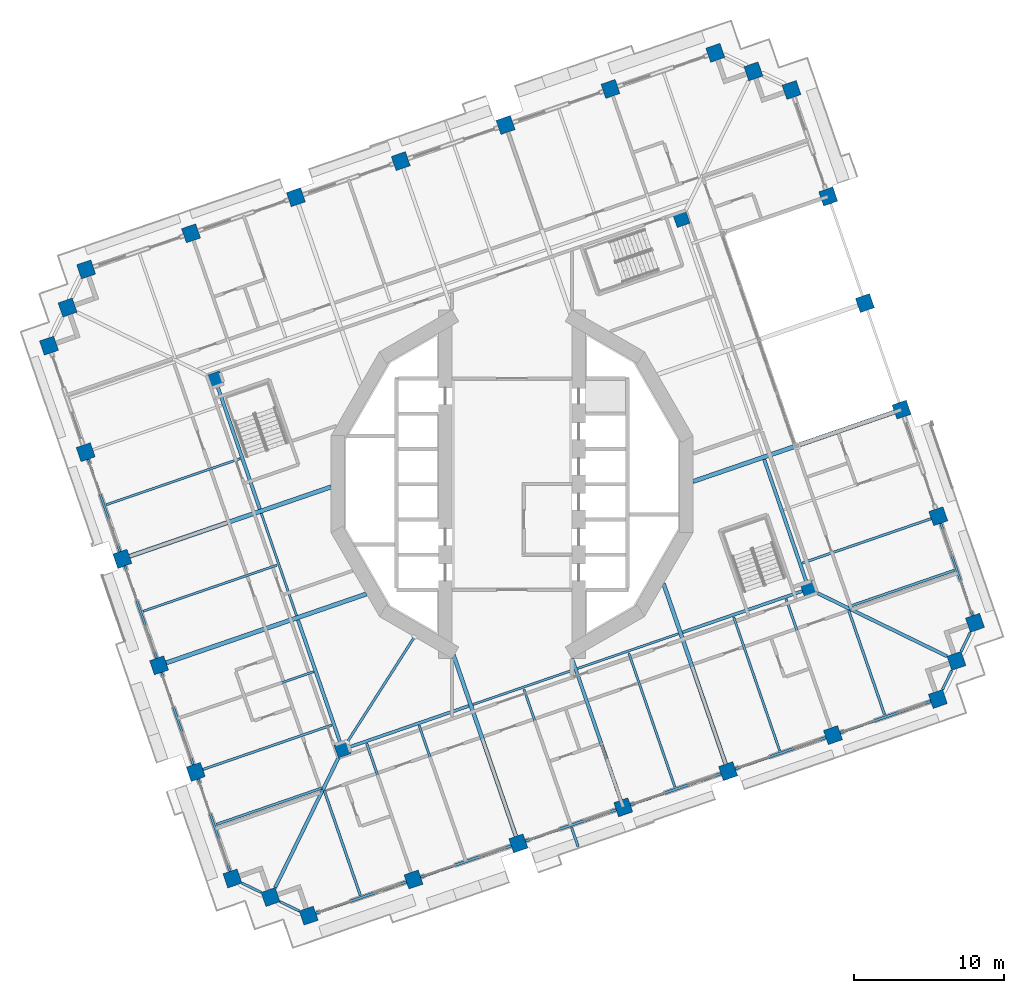
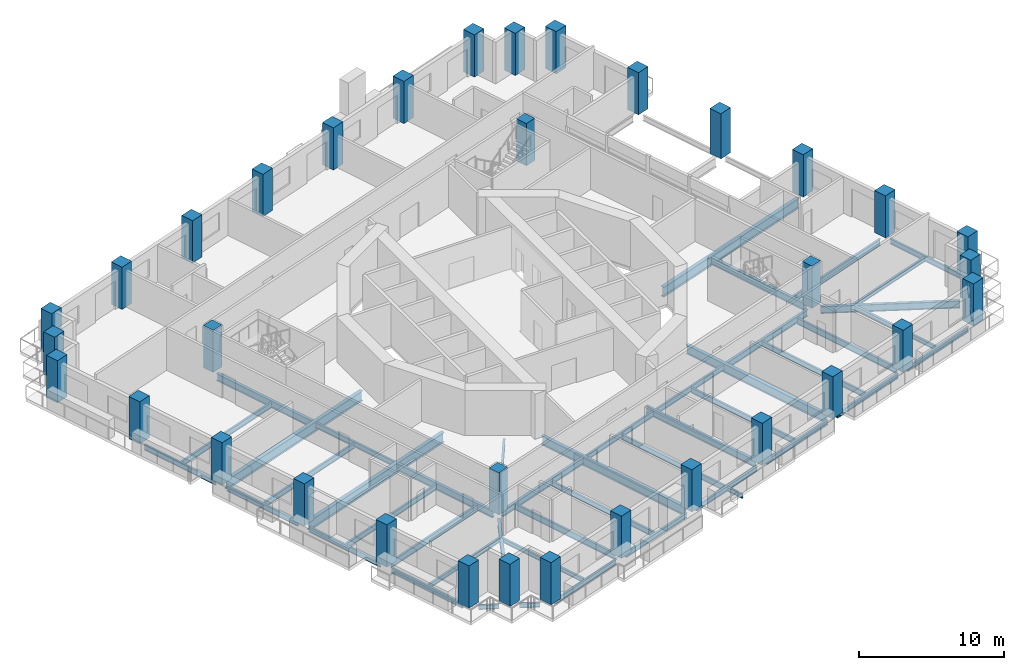
# One storey, part 1 of 19: 48 beams, 34 columns.
"""IFC4 building model written with IfcOpenShell, lengths in metres."""

from ifc_helpers import new_model, si_unit, direction, frame, origin, origin_2d, place, context, subcontext, project, spatial, rectangle, i_section, extrude, material, material_profile, profile_set, type_object, element, save


model = new_model("IFC4")

# Units and contexts
model_context = context("Model", 3, precision=1e-05, world=origin(), true_north=direction((0.0, 1.0)))
body_context = subcontext(model_context, "Body", "Model", "MODEL_VIEW")
ifc_project = project(units=[si_unit("LENGTHUNIT", "METRE"), si_unit("AREAUNIT", "SQUARE_METRE"), si_unit("VOLUMEUNIT", "CUBIC_METRE"), si_unit("PLANEANGLEUNIT", "RADIAN"), si_unit("MASSUNIT", "GRAM", prefix="KILO")], contexts=[model_context])

# Site, building, storey
site_placement = place(None, origin())
site = spatial("IfcSite", under=ifc_project, at=site_placement, CompositionType="ELEMENT")
building_placement = place(site_placement, origin())
building = spatial("IfcBuilding", under=site, at=building_placement, Name="Cantera Rosa Tower", CompositionType="ELEMENT")
storey_placement = place(building_placement, frame((0.0, 0.0, 130.699951171875)))
storey = spatial("IfcBuildingStorey", under=building, at=storey_placement, Name="L27", CompositionType="ELEMENT", Elevation=130.699951171875)

# Columns
ifc_material_1 = material(Name="Concrete C70/85", Category="concrete")
ifc_material_profile_1 = material_profile(ifc_material_1, rectangle(XDim=1.0, YDim=1.0, at=origin_2d()), Name="RC COLUMN RC1000X1000 C70/85")
ifc_profile_set_1 = profile_set([ifc_material_profile_1], Name="Concrete C70/85")
column_type_1 = type_object("IfcColumnType", Name="RC COLUMN RC1000X1000 C70/85", PredefinedType="COLUMN", material=ifc_profile_set_1)
for number, where, z_axis, x_axis, name in (
    (1, (30.893310546875, -9.245849609375, 0.0), (0.0, 0.0, 1.0), (0.945518575599, 0.325568154457, 0.0), "C-Z2-01 L27"),
    (2, (28.445068359375, -2.135498046875, 0.0), (0.0, 0.0, 1.0), (0.945518575599, 0.325568154457, 0.0), "C-Z2-02 L27"),
    (3, (25.996826171875, 4.974853515625, 0.0), (0.0, 0.0, 1.0), (0.945518575599, 0.325568154457, 0.0), "C-Z2-03 L27"),
):
    element("IfcColumn", number, at=place(storey_placement, frame(where, z_axis=z_axis, x_axis=x_axis)), inside=storey, type_object=column_type_1, Name=name, PredefinedType="COLUMN", context=body_context, shape_type="SweptSolid", body=[
        extrude(rectangle(XDim=1.0, YDim=1.0, at=origin_2d()), origin(), (0.0, 0.0, 1.0), 3.550048828125),
    ])
column_placement = place(storey_placement, frame((23.54833984375, 12.0849609375, -0.25), z_axis=(0.0, 0.0, 1.0), x_axis=(0.945518575599, 0.325568154457, 0.0)))
element("IfcColumn", 4, at=column_placement, inside=storey, type_object=column_type_1, Name="C-Z2-04 L27", PredefinedType="COLUMN", context=body_context, shape_type="SweptSolid", body=[
    extrude(rectangle(XDim=1.0, YDim=1.0, at=origin_2d()), origin(), (0.0, 0.0, 1.0), 3.800048828125),
])
for number, where, z_axis, x_axis, name in (
    (5, (21.10009765625, 19.1953125, 0.0), (0.0, 0.0, 1.0), (0.945518575599, 0.325568154457, 0.0), "C-Z2-05 L27"),
    (6, (18.65185546875, 26.3056640625, 0.0), (0.0, 0.0, 1.0), (0.945518575599, 0.325568154457, 0.0), "C-Z2-06 L27"),
    (7, (16.109619140625, 27.545654296875, 0.0), (0.0, 0.0, 1.0), (0.945518575599, 0.325568154457, 0.0), "C-Z2-07 L27"),
    (8, (13.567626953125, 28.785400390625, 0.0), (0.0, 0.0, 1.0), (0.945518575599, 0.325568154457, 0.0), "C-Z2-08 L27"),
    (9, (6.57080078125, 26.376220703125, 0.0), (0.0, 0.0, 1.0), (0.945518575599, 0.325568154457, 0.0), "C-Z2-09 L27"),
    (10, (-0.426025390625, 23.967041015625, 0.0), (0.0, 0.0, 1.0), (0.945518575599, 0.325568154457, 0.0), "C-Z2-10 L27"),
    (11, (-7.4228515625, 21.557861328125, 0.0), (0.0, 0.0, 1.0), (0.945518575599, 0.325568154457, 0.0), "C-Z2-11 L27"),
    (12, (-14.419677734375, 19.148681640625, 0.0), (0.0, 0.0, 1.0), (0.945518575599, 0.325568154457, 0.0), "C-Z2-12 L27"),
    (13, (-21.416748046875, 16.739501953125, 0.0), (0.0, 0.0, 1.0), (0.945518575599, 0.325568154457, 0.0), "C-Z2-13 L27"),
    (14, (-28.41357421875, 14.330322265625, 0.0), (0.0, 0.0, 1.0), (0.945518575599, 0.325568154457, 0.0), "C-Z2-14 L27"),
    (15, (-29.6533203125, 11.7880859375, 0.0), (0.0, 0.0, 1.0), (0.945518575599, 0.325568154457, 0.0), "C-Z2-15 L27"),
    (16, (-30.893310546875, 9.245849609375, 0.0), (0.0, 0.0, 1.0), (0.945518575599, 0.325568154457, 0.0), "C-Z2-16 L27"),
    (17, (-28.445068359375, 2.135498046875, 0.0), (0.0, 0.0, 1.0), (0.945518575599, 0.325568154457, 0.0), "C-Z2-17 L27"),
    (18, (-25.996826171875, -4.974853515625, 0.0), (0.0, 0.0, 1.0), (0.945518575599, 0.325568154457, 0.0), "C-Z2-18 L27"),
    (19, (-23.54833984375, -12.0849609375, 0.0), (0.0, 0.0, 1.0), (0.945518575599, 0.325568154457, 0.0), "C-Z2-19 L27"),
    (20, (-21.10009765625, -19.1953125, 0.0), (0.0, 0.0, 1.0), (0.945518575599, 0.325568154457, 0.0), "C-Z2-20 L27"),
    (21, (-18.65185546875, -26.3056640625, 0.0), (0.0, 0.0, 1.0), (0.945518575599, 0.325568154457, 0.0), "C-Z2-21 L27"),
    (22, (-16.109619140625, -27.545654296875, 0.0), (0.0, 0.0, 1.0), (0.945518575599, 0.325568154457, 0.0), "C-Z2-22 L27"),
    (23, (-13.567626953125, -28.785400390625, 0.0), (0.0, 0.0, 1.0), (0.945518575599, 0.325568154457, 0.0), "C-Z2-23 L27"),
    (24, (-6.57080078125, -26.376220703125, 0.0), (0.0, 0.0, 1.0), (0.945518575599, 0.325568154457, 0.0), "C-Z2-24 L27"),
    (25, (0.426025390625, -23.967041015625, 0.0), (0.0, 0.0, 1.0), (0.945518575599, 0.325568154457, 0.0), "C-Z2-25 L27"),
    (26, (7.4228515625, -21.557861328125, 0.0), (0.0, 0.0, 1.0), (0.945518575599, 0.325568154457, 0.0), "C-Z2-26 L27"),
    (27, (14.419677734375, -19.148681640625, 0.0), (0.0, 0.0, 1.0), (0.945518575599, 0.325568154457, 0.0), "C-Z2-27 L27"),
    (28, (21.416748046875, -16.739501953125, 0.0), (0.0, 0.0, 1.0), (0.945518575599, 0.325568154457, 0.0), "C-Z2-28 L27"),
    (29, (28.41357421875, -14.330322265625, 0.0), (0.0, 0.0, 1.0), (0.945518575599, 0.325568154457, 0.0), "C-Z2-29 L27"),
    (30, (29.6533203125, -11.7880859375, 0.0), (0.0, 0.0, 1.0), (0.945518575599, 0.325568154457, 0.0), "C-Z2-30 L27"),
):
    element("IfcColumn", number, at=place(storey_placement, frame(where, z_axis=z_axis, x_axis=x_axis)), inside=storey, type_object=column_type_1, Name=name, PredefinedType="COLUMN", context=body_context, shape_type="SweptSolid", body=[
        extrude(rectangle(XDim=1.0, YDim=1.0, at=origin_2d()), origin(), (0.0, 0.0, 1.0), 3.550048828125),
    ])
ifc_material_2 = material(Name="Concrete C70/85", Category="concrete")
ifc_material_profile_2 = material_profile(ifc_material_2, rectangle(XDim=0.89990234375, YDim=0.89990234375, at=origin_2d()), Name="RC RING COLUMN RC900X900 C70/85")
ifc_profile_set_2 = profile_set([ifc_material_profile_2], Name="Concrete C70/85")
column_type_2 = type_object("IfcColumnType", Name="RC RING COLUMN RC900X900 C70/85", PredefinedType="COLUMN", material=ifc_profile_set_2)
for number, where, z_axis, x_axis, name in (
    (31, (11.30517578125, 17.694580078125, 0.0), (0.0, 0.0, 1.0), (0.945518575599, 0.325568154457, 0.0), "CI-Z2-1 L27"),
    (32, (-19.802490234375, 6.9833984375, 0.0), (0.0, 0.0, 1.0), (0.945518575599, 0.325568154457, 0.0), "CI-Z2-2 L27"),
    (33, (-11.30517578125, -17.694580078125, 0.0), (0.0, 0.0, 1.0), (0.945518575599, 0.325568154457, 0.0), "CI-Z2-3 L27"),
    (34, (19.802490234375, -6.9833984375, 0.0), (0.0, 0.0, 1.0), (0.945518575599, 0.325568154457, 0.0), "CI-Z2-4 L27"),
):
    element("IfcColumn", number, at=place(storey_placement, frame(where, z_axis=z_axis, x_axis=x_axis)), inside=storey, type_object=column_type_2, Name=name, PredefinedType="COLUMN", context=body_context, shape_type="SweptSolid", body=[
        extrude(rectangle(XDim=0.89990234375, YDim=0.89990234375, at=origin_2d()), origin(), (0.0, 0.0, 1.0), 3.550048828125),
    ])

# Beams
ifc_material_3 = material(Name="Steel ASTM A992 (Fy 345 MPa)", Category="steel")
ifc_material_profile_3 = material_profile(ifc_material_3, i_section(OverallWidth=0.154052734375, OverallDepth=0.4599609375, WebThickness=0.009033203125, FlangeThickness=0.015380859375, FilletRadius=0.01025390625, at=origin_2d()), Name="W460X68")
ifc_profile_set_3 = profile_set([ifc_material_profile_3], Name="Steel ASTM A992 (Fy 345 MPa)")
beam_type_1 = type_object("IfcBeamType", Name="STEEL BEAM W460X68", PredefinedType="BEAM", material=ifc_profile_set_3)
for number, where, z_axis, x_axis, name in (
    (35, (-2.6064453125, -14.699462890625, -0.47998046875), (0.9455219702, 0.325558295653, 0.0), (-0.325558295653, 0.9455219702, 0.0), "RB-Z2-06 L27"),
    (36, (4.390380859375, -12.290283203125, -0.47998046875), (0.9455219702, 0.325558295653, 0.0), (-0.325558295653, 0.9455219702, 0.0), "RB-Z2-07 L27"),
):
    element("IfcBeam", number, at=place(storey_placement, frame(where, z_axis=z_axis, x_axis=x_axis)), inside=storey, type_object=beam_type_1, Name=name, PredefinedType="BEAM", context=body_context, shape_type="SweptSolid", body=[
        extrude(i_section(OverallWidth=0.154052734375, OverallDepth=0.4599609375, WebThickness=0.009033203125, FlangeThickness=0.015380859375, FilletRadius=0.01025390625, at=origin_2d()), origin(), (0.0, 0.0, 1.0), 7.10009765625),
    ])
beam_1_placement = place(storey_placement, frame((-14.37841796875, -8.768798828125, -0.47998046875), z_axis=(-0.325575881702, 0.94551591486, 0.0), x_axis=(-0.94551591486, -0.325575881702, 0.0)))
element("IfcBeam", 37, at=beam_1_placement, inside=storey, type_object=beam_type_1, Name="RB-Z2-13 L27", PredefinedType="BEAM", context=body_context, shape_type="SweptSolid", body=[
    extrude(i_section(OverallWidth=0.154052734375, OverallDepth=0.4599609375, WebThickness=0.009033203125, FlangeThickness=0.015380859375, FilletRadius=0.01025390625, at=origin_2d()), origin(), (0.0, 0.0, 1.0), 7.2197265625),
])
ifc_material_4 = material(Name="Steel ASTM A992 (Fy 345 MPa)", Category="steel")
ifc_material_profile_4 = material_profile(ifc_material_4, i_section(OverallWidth=0.166015625, OverallDepth=0.528076171875, WebThickness=0.009765625, FlangeThickness=0.013671875, FilletRadius=0.0126953125, at=origin_2d()), Name="W530X74")
ifc_profile_set_4 = profile_set([ifc_material_profile_4], Name="Steel ASTM A992 (Fy 345 MPa)")
beam_type_2 = type_object("IfcBeamType", Name="STEEL BEAM W530X74", PredefinedType="BEAM", material=ifc_profile_set_4)
for number, where, z_axis, x_axis, name in (
    (38, (27.97216796875, -2.29833984375, -0.513916015625), (-0.94551971591, -0.325564842737, 0.0), (0.325564842737, -0.94551971591, 0.0), "G-Z2-01 L27"),
    (39, (-6.7333984375, -25.903564453125, -0.513916015625), (-0.325588827377, 0.945511457089, 0.0), (-0.945511457089, -0.325588827377, 0.0), "G-Z2-10 L27"),
    (40, (21.25390625, -16.2666015625, -0.513916015625), (-0.325564842737, 0.94551971591, 0.0), (-0.94551971591, -0.325564842737, 0.0), "G-Z2-14 L27"),
    (41, (-20.62744140625, -19.032470703125, -0.513916015625), (0.94551971591, 0.325564842737, 0.0), (-0.325564842737, 0.94551971591, 0.0), "G-Z2-18 L27"),
):
    element("IfcBeam", number, at=place(storey_placement, frame(where, z_axis=z_axis, x_axis=x_axis)), inside=storey, type_object=beam_type_2, Name=name, PredefinedType="BEAM", context=body_context, shape_type="SweptSolid", body=[
        extrude(i_section(OverallWidth=0.166015625, OverallDepth=0.528076171875, WebThickness=0.009765625, FlangeThickness=0.013671875, FilletRadius=0.0126953125, at=origin_2d()), origin(), (0.0, 0.0, 1.0), 9.10009765625),
    ])
beam_2_placement = place(storey_placement, frame((-10.995849609375, -17.21044921875, -0.513916015625), z_axis=(0.538396209095, 0.842691830999, 0.0), x_axis=(-0.842691830999, 0.538396209095, 0.0)))
element("IfcBeam", 42, at=beam_2_placement, inside=storey, type_object=beam_type_2, Name="PG-Z2-01 L27", PredefinedType="BEAM", context=body_context, shape_type="SweptSolid", body=[
    extrude(i_section(OverallWidth=0.166015625, OverallDepth=0.528076171875, WebThickness=0.009765625, FlangeThickness=0.013671875, FilletRadius=0.0126953125, at=origin_2d()), origin(), (0.0, 0.0, 1.0), 8.3369140625),
])
ifc_material_5 = material(Name="Steel ASTM A992 (Fy 345 MPa)", Category="steel")
ifc_material_profile_5 = material_profile(ifc_material_5, i_section(OverallWidth=0.208984375, OverallDepth=0.532958984375, WebThickness=0.01025390625, FlangeThickness=0.015625, FilletRadius=0.0126953125, at=origin_2d()), Name="W530X92")
ifc_profile_set_5 = profile_set([ifc_material_profile_5], Name="Steel ASTM A992 (Fy 345 MPa)")
beam_type_3 = type_object("IfcBeamType", Name="STEEL BEAM W530X92", PredefinedType="BEAM", material=ifc_profile_set_5)
beam_3_placement = place(storey_placement, frame((-10.879638671875, -17.548095703125, -0.516357421875), z_axis=(0.945522715377, 0.325556131421, 0.0), x_axis=(-0.325556131421, 0.945522715377, 0.0)))
element("IfcBeam", 43, at=beam_3_placement, inside=storey, type_object=beam_type_3, Name="RB-Z2-05 L27", PredefinedType="BEAM", context=body_context, shape_type="SweptSolid", body=[
    extrude(i_section(OverallWidth=0.208984375, OverallDepth=0.532958984375, WebThickness=0.01025390625, FlangeThickness=0.015625, FilletRadius=0.0126953125, at=origin_2d()), origin(), (0.0, 0.0, 1.0), 8.4501953125),
])
beam_4_placement = place(storey_placement, frame((11.387451171875, -9.880859375, -0.516357421875), z_axis=(0.945519653071, 0.325565025235, 0.0), x_axis=(-0.325565025235, 0.945519653071, 0.0)))
element("IfcBeam", 44, at=beam_4_placement, inside=storey, type_object=beam_type_3, Name="RB-Z2-08 L27", PredefinedType="BEAM", context=body_context, shape_type="SweptSolid", body=[
    extrude(i_section(OverallWidth=0.208984375, OverallDepth=0.532958984375, WebThickness=0.01025390625, FlangeThickness=0.015625, FilletRadius=0.0126953125, at=origin_2d()), origin(), (0.0, 0.0, 1.0), 8.449951171875),
])
ifc_material_6 = material(Name="Steel ASTM A992 (Fy 345 MPa)", Category="steel")
ifc_material_profile_6 = material_profile(ifc_material_6, i_section(OverallWidth=0.22802734375, OverallDepth=0.60205078125, WebThickness=0.010498046875, FlangeThickness=0.014892578125, FilletRadius=0.0126953125, at=origin_2d()), Name="W610X101")
ifc_profile_set_6 = profile_set([ifc_material_profile_6], Name="Steel ASTM A992 (Fy 345 MPa)")
beam_type_4 = type_object("IfcBeamType", Name="STEEL BEAM W610X101", PredefinedType="BEAM", material=ifc_profile_set_6)
beam_5_placement = place(storey_placement, frame((-15.7998046875, -26.909912109375, -0.551025390625), z_axis=(0.438387618569, 0.898786012288, 0.0), x_axis=(-0.898786012288, 0.438387618569, 0.0)))
element("IfcBeam", 45, at=beam_5_placement, inside=storey, type_object=beam_type_4, Name="CB-Z2-03 L27", PredefinedType="BEAM", context=body_context, shape_type="SweptSolid", body=[
    extrude(i_section(OverallWidth=0.22802734375, OverallDepth=0.60205078125, WebThickness=0.010498046875, FlangeThickness=0.014892578125, FilletRadius=0.0126953125, at=origin_2d()), origin(), (0.0, 0.0, 1.0), 9.61669921875),
])
beam_6_placement = place(storey_placement, frame((29.017822265625, -11.47802734375, -0.551025390625), z_axis=(-0.898796015179, 0.438367109965, 0.0), x_axis=(-0.438367109965, -0.898796015179, 0.0)))
element("IfcBeam", 46, at=beam_6_placement, inside=storey, type_object=beam_type_4, Name="CB-Z2-04 L27", PredefinedType="BEAM", context=body_context, shape_type="SweptSolid", body=[
    extrude(i_section(OverallWidth=0.22802734375, OverallDepth=0.60205078125, WebThickness=0.010498046875, FlangeThickness=0.014892578125, FilletRadius=0.0126953125, at=origin_2d()), origin(), (0.0, 0.0, 1.0), 9.616455078125),
])
beam_7_placement = place(storey_placement, frame((7.26025390625, -21.0849609375, -0.551025390625), z_axis=(-0.325587365823, 0.945511960377, 0.0), x_axis=(-0.945511960377, -0.325587365823, 0.0)))
element("IfcBeam", 47, at=beam_7_placement, inside=storey, type_object=beam_type_4, Name="G-Z2-12 L27", PredefinedType="BEAM", context=body_context, shape_type="SweptSolid", body=[
    extrude(i_section(OverallWidth=0.22802734375, OverallDepth=0.60205078125, WebThickness=0.010498046875, FlangeThickness=0.014892578125, FilletRadius=0.0126953125, at=origin_2d()), origin(), (0.0, 0.0, 1.0), 10.0),
])
for number, where, z_axis, x_axis, name in (
    (48, (19.656005859375, -6.557861328125, -0.551025390625), (-0.325584584945, 0.945512917969, 0.0), (-0.945512917969, -0.325584584945, 0.0), "RB-Z2-09 L27"),
    (49, (-11.45166015625, -17.26904296875, -0.551025390625), (-0.325559468466, 0.945521566381, 0.0), (-0.945521566381, -0.325559468466, 0.0), "RB-Z2-12 L27"),
    (50, (-16.82666015625, -1.65869140625, -0.551025390625), (-0.325584584945, 0.945512917969, 0.0), (-0.945512917969, -0.325584584945, 0.0), "RB-Z2-14 L27"),
):
    element("IfcBeam", number, at=place(storey_placement, frame(where, z_axis=z_axis, x_axis=x_axis)), inside=storey, type_object=beam_type_4, Name=name, PredefinedType="BEAM", context=body_context, shape_type="SweptSolid", body=[
        extrude(i_section(OverallWidth=0.22802734375, OverallDepth=0.60205078125, WebThickness=0.010498046875, FlangeThickness=0.014892578125, FilletRadius=0.0126953125, at=origin_2d()), origin(), (0.0, 0.0, 1.0), 8.68994140625),
    ])
ifc_material_7 = material(Name="Steel ASTM A992 (Fy 345 MPa)", Category="steel")
ifc_material_profile_7 = material_profile(ifc_material_7, i_section(OverallWidth=0.26708984375, OverallDepth=0.75390625, WebThickness=0.01318359375, FlangeThickness=0.01708984375, FilletRadius=0.0166015625, at=origin_2d()), Name="W760X147")
ifc_profile_set_7 = profile_set([ifc_material_profile_7], Name="Steel ASTM A992 (Fy 345 MPa)")
beam_type_5 = type_object("IfcBeamType", Name="STEEL BEAM W760X147", PredefinedType="BEAM", material=ifc_profile_set_7)
beam_8_placement = place(storey_placement, frame((0.263427734375, -23.494384765625, -0.626953125), z_axis=(-0.325569500581, 0.945518112091, 0.0), x_axis=(-0.945518112091, -0.325569500581, 0.0)))
element("IfcBeam", 51, at=beam_8_placement, inside=storey, type_object=beam_type_5, Name="G-Z2-11 L27", PredefinedType="BEAM", context=body_context, shape_type="SweptSolid", body=[
    extrude(i_section(OverallWidth=0.26708984375, OverallDepth=0.75390625, WebThickness=0.01318359375, FlangeThickness=0.01708984375, FilletRadius=0.0166015625, at=origin_2d()), origin(), (0.0, 0.0, 1.0), 13.09521484375),
])
beam_9_placement = place(storey_placement, frame((14.257080078125, -18.67578125, -0.626953125), z_axis=(-0.325575880476, 0.945515915282, 0.0), x_axis=(-0.945515915282, -0.325575880476, 0.0)))
element("IfcBeam", 52, at=beam_9_placement, inside=storey, type_object=beam_type_5, Name="G-Z2-13 L27", PredefinedType="BEAM", context=body_context, shape_type="SweptSolid", body=[
    extrude(i_section(OverallWidth=0.26708984375, OverallDepth=0.75390625, WebThickness=0.01318359375, FlangeThickness=0.01708984375, FilletRadius=0.0166015625, at=origin_2d()), origin(), (0.0, 0.0, 1.0), 12.734375),
])
ifc_material_8 = material(Name="Steel ASTM A992 (Fy 345 MPa)", Category="steel")
ifc_material_profile_8 = material_profile(ifc_material_8, i_section(OverallWidth=0.2919921875, OverallDepth=0.8359375, WebThickness=0.013916015625, FlangeThickness=0.018798828125, FilletRadius=0.017822265625, at=origin_2d()), Name="W840X176")
ifc_profile_set_8 = profile_set([ifc_material_profile_8], Name="Steel ASTM A992 (Fy 345 MPa)")
beam_type_6 = type_object("IfcBeamType", Name="STEEL BEAM W840X176", PredefinedType="BEAM", material=ifc_profile_set_8)
for number, where, z_axis, x_axis, name in (
    (53, (25.52392578125, 4.81201171875, -0.66796875), (-0.945515154884, -0.325578088765, 0.0), (0.325578088765, -0.945515154884, 0.0), "G-Z2-02 L27"),
    (54, (-25.52392578125, -4.81201171875, -0.66796875), (0.945515154884, 0.325578088765, 0.0), (-0.325578088765, 0.945515154884, 0.0), "G-Z2-16 L27"),
):
    element("IfcBeam", number, at=place(storey_placement, frame(where, z_axis=z_axis, x_axis=x_axis)), inside=storey, type_object=beam_type_6, Name=name, PredefinedType="BEAM", context=body_context, shape_type="SweptSolid", body=[
        extrude(i_section(OverallWidth=0.2919921875, OverallDepth=0.8359375, WebThickness=0.013916015625, FlangeThickness=0.018798828125, FilletRadius=0.017822265625, at=origin_2d()), origin(), (0.0, 0.0, 1.0), 14.22509765625),
    ])
beam_10_placement = place(storey_placement, frame((-23.07568359375, -11.92236328125, -0.66796875), z_axis=(0.945516836256, 0.325573205833, 0.0), x_axis=(-0.325573205833, 0.945516836256, 0.0)))
element("IfcBeam", 55, at=beam_10_placement, inside=storey, type_object=beam_type_6, Name="G-Z2-17 L27", PredefinedType="BEAM", context=body_context, shape_type="SweptSolid", body=[
    extrude(i_section(OverallWidth=0.2919921875, OverallDepth=0.8359375, WebThickness=0.013916015625, FlangeThickness=0.018798828125, FilletRadius=0.017822265625, at=origin_2d()), origin(), (0.0, 0.0, 1.0), 14.130615234375),
])
ifc_material_9 = material(Name="Steel ASTM A992 (Fy 345 MPa)", Category="steel")
ifc_material_profile_9 = material_profile(ifc_material_9, i_section(OverallWidth=0.1708984375, OverallDepth=0.35595703125, WebThickness=0.00732421875, FlangeThickness=0.01171875, FilletRadius=0.010009765625, at=origin_2d()), Name="W360X51")
ifc_profile_set_9 = profile_set([ifc_material_profile_9], Name="Steel ASTM A992 (Fy 345 MPa)")
beam_type_7 = type_object("IfcBeamType", Name="STEEL JOIST W360X51", PredefinedType="JOIST", material=ifc_profile_set_9)
beam_11_placement = place(storey_placement, frame((29.52734375, -5.739501953125, -0.427978515625), z_axis=(-0.945521732807, -0.325558985116, 0.0), x_axis=(0.325558985116, -0.945521732807, 0.0)))
element("IfcBeam", 56, at=beam_11_placement, inside=storey, type_object=beam_type_7, Name="B-Z2-01 L27", PredefinedType="JOIST", context=body_context, shape_type="SweptSolid", body=[
    extrude(i_section(OverallWidth=0.1708984375, OverallDepth=0.35595703125, WebThickness=0.00732421875, FlangeThickness=0.01171875, FilletRadius=0.010009765625, at=origin_2d()), origin(), (0.0, 0.0, 1.0), 7.460205078125),
])
for number, where, z_axis, x_axis, name in (
    (57, (-10.117919921875, -27.43896484375, -0.427978515625), (-0.325565645331, 0.945519439557, 0.0), (-0.945519439557, -0.325565645331, 0.0), "B-Z2-12 L27"),
    (58, (24.8662109375, -15.39306640625, -0.427978515625), (-0.325565645331, 0.945519439557, 0.0), (-0.945519439557, -0.325565645331, 0.0), "B-Z2-17 L27"),
):
    element("IfcBeam", number, at=place(storey_placement, frame(where, z_axis=z_axis, x_axis=x_axis)), inside=storey, type_object=beam_type_7, Name=name, PredefinedType="JOIST", context=body_context, shape_type="SweptSolid", body=[
        extrude(i_section(OverallWidth=0.1708984375, OverallDepth=0.35595703125, WebThickness=0.00732421875, FlangeThickness=0.01171875, FilletRadius=0.010009765625, at=origin_2d()), origin(), (0.0, 0.0, 1.0), 7.39990234375),
    ])
beam_12_placement = place(storey_placement, frame((-19.734130859375, -22.70166015625, -0.427978515625), z_axis=(0.945518264054, 0.32556905925, 0.0), x_axis=(-0.32556905925, 0.945518264054, 0.0)))
element("IfcBeam", 59, at=beam_12_placement, inside=storey, type_object=beam_type_7, Name="B-Z2-22 L27", PredefinedType="JOIST", context=body_context, shape_type="SweptSolid", body=[
    extrude(i_section(OverallWidth=0.1708984375, OverallDepth=0.35595703125, WebThickness=0.00732421875, FlangeThickness=0.01171875, FilletRadius=0.010009765625, at=origin_2d()), origin(), (0.0, 0.0, 1.0), 7.4599609375),
])
beam_13_placement = place(storey_placement, frame((3.966796875, -22.88525390625, -0.427978515625), z_axis=(0.325633232833, -0.945496164812, 0.0), x_axis=(0.945496164812, 0.325633232833, 0.0)))
element("IfcBeam", 60, at=beam_13_placement, inside=storey, type_object=beam_type_7, Name="BS-Z2-17 L27", PredefinedType="JOIST", context=body_context, shape_type="SweptSolid", body=[
    extrude(i_section(OverallWidth=0.1708984375, OverallDepth=0.35595703125, WebThickness=0.00732421875, FlangeThickness=0.01171875, FilletRadius=0.010009765625, at=origin_2d()), origin(), (0.0, 0.0, 1.0), 1.3681640625),
])
ifc_material_10 = material(Name="Steel ASTM A992 (Fy 345 MPa)", Category="steel")
ifc_material_profile_10 = material_profile(ifc_material_10, i_section(OverallWidth=0.154052734375, OverallDepth=0.4599609375, WebThickness=0.009033203125, FlangeThickness=0.015380859375, FilletRadius=0.01025390625, at=origin_2d()), Name="W460X68")
ifc_profile_set_10 = profile_set([ifc_material_profile_10], Name="Steel ASTM A992 (Fy 345 MPa)")
beam_type_8 = type_object("IfcBeamType", Name="STEEL JOIST W460X68", PredefinedType="JOIST", material=ifc_profile_set_10)
for number, where, z_axis, x_axis, name in (
    (61, (-3.12109375, -25.02978515625, -0.47998046875), (-0.325575037498, 0.94551620555, 0.0), (-0.94551620555, -0.325575037498, 0.0), "B-Z2-13 L27"),
    (62, (3.875732421875, -22.62060546875, -0.47998046875), (-0.325575037498, 0.94551620555, 0.0), (-0.94551620555, -0.325575037498, 0.0), "B-Z2-14 L27"),
):
    element("IfcBeam", number, at=place(storey_placement, frame(where, z_axis=z_axis, x_axis=x_axis)), inside=storey, type_object=beam_type_8, Name=name, PredefinedType="JOIST", context=body_context, shape_type="SweptSolid", body=[
        extrude(i_section(OverallWidth=0.154052734375, OverallDepth=0.4599609375, WebThickness=0.009033203125, FlangeThickness=0.015380859375, FilletRadius=0.01025390625, at=origin_2d()), origin(), (0.0, 0.0, 1.0), 9.449951171875),
    ])
for number, where, z_axis, x_axis, name in (
    (63, (10.87255859375, -20.21142578125, -0.47998046875), (-0.325567084667, 0.945518943957, 0.0), (-0.945518943957, -0.325567084667, 0.0), "B-Z2-15 L27"),
    (64, (17.869384765625, -17.80224609375, -0.47998046875), (-0.325567084667, 0.945518943957, 0.0), (-0.945518943957, -0.325567084667, 0.0), "B-Z2-16 L27"),
    (65, (-27.0791015625, -1.370849609375, -0.47998046875), (0.945518943957, 0.325567084667, 0.0), (-0.325567084667, 0.945518943957, 0.0), "B-Z2-19 L27"),
    (66, (-24.630859375, -8.48095703125, -0.47998046875), (0.945526896389, 0.325543988125, 0.0), (-0.325543988125, 0.945526896389, 0.0), "B-Z2-20 L27"),
):
    element("IfcBeam", number, at=place(storey_placement, frame(where, z_axis=z_axis, x_axis=x_axis)), inside=storey, type_object=beam_type_8, Name=name, PredefinedType="JOIST", context=body_context, shape_type="SweptSolid", body=[
        extrude(i_section(OverallWidth=0.154052734375, OverallDepth=0.4599609375, WebThickness=0.009033203125, FlangeThickness=0.015380859375, FilletRadius=0.01025390625, at=origin_2d()), origin(), (0.0, 0.0, 1.0), 9.4501953125),
    ])
beam_14_placement = place(storey_placement, frame((-22.182373046875, -15.59130859375, -0.47998046875), z_axis=(0.94551620555, 0.325575037498, 0.0), x_axis=(-0.325575037498, 0.94551620555, 0.0)))
element("IfcBeam", 67, at=beam_14_placement, inside=storey, type_object=beam_type_8, Name="B-Z2-21 L27", PredefinedType="JOIST", context=body_context, shape_type="SweptSolid", body=[
    extrude(i_section(OverallWidth=0.154052734375, OverallDepth=0.4599609375, WebThickness=0.009033203125, FlangeThickness=0.015380859375, FilletRadius=0.01025390625, at=origin_2d()), origin(), (0.0, 0.0, 1.0), 9.449951171875),
])
ifc_material_11 = material(Name="Steel ASTM A992 (Fy 345 MPa)", Category="steel")
ifc_material_profile_11 = material_profile(ifc_material_11, i_section(OverallWidth=0.1708984375, OverallDepth=0.35595703125, WebThickness=0.00732421875, FlangeThickness=0.01171875, FilletRadius=0.010009765625, at=origin_2d()), Name="W360X51")
ifc_profile_set_11 = profile_set([ifc_material_profile_11], Name="Steel ASTM A992 (Fy 345 MPa)")
beam_type_9 = type_object("IfcBeamType", Name="STEEL SPANDREL BEAM W360X51", PredefinedType="SPANDREL", material=ifc_profile_set_11)
for number, where, z_axis, x_axis, name in (
    (68, (-18.016357421875, -26.61572265625, -0.427978515625), (0.898803287583, -0.438352198842, 0.0), (0.438352198842, 0.898803287583, 0.0), "EB-Z2-21 L27"),
    (69, (-15.47412109375, -27.85546875, -0.427978515625), (0.898803287583, -0.438352198842, 0.0), (0.438352198842, 0.898803287583, 0.0), "EB-Z2-22 L27"),
):
    element("IfcBeam", number, at=place(storey_placement, frame(where, z_axis=z_axis, x_axis=x_axis)), inside=storey, type_object=beam_type_9, Name=name, PredefinedType="SPANDREL", context=body_context, shape_type="SweptSolid", body=[
        extrude(i_section(OverallWidth=0.1708984375, OverallDepth=0.35595703125, WebThickness=0.00732421875, FlangeThickness=0.01171875, FilletRadius=0.010009765625, at=origin_2d()), origin(), (0.0, 0.0, 1.0), 1.4140625),
    ])
for number, where, z_axis, x_axis, name in (
    (70, (28.723388671875, -13.694580078125, -0.427978515625), (0.438491655897, 0.898735260079, 0.0), (-0.898735260079, 0.438491655897, 0.0), "EB-Z2-29 L27"),
    (71, (29.96337890625, -11.152587890625, -0.427978515625), (0.438284186308, 0.898836454552, 0.0), (-0.898836454552, 0.438284186308, 0.0), "EB-Z2-30 L27"),
):
    element("IfcBeam", number, at=place(storey_placement, frame(where, z_axis=z_axis, x_axis=x_axis)), inside=storey, type_object=beam_type_9, Name=name, PredefinedType="SPANDREL", context=body_context, shape_type="SweptSolid", body=[
        extrude(i_section(OverallWidth=0.1708984375, OverallDepth=0.35595703125, WebThickness=0.00732421875, FlangeThickness=0.01171875, FilletRadius=0.010009765625, at=origin_2d()), origin(), (0.0, 0.0, 1.0), 1.414306640625),
    ])
ifc_material_12 = material(Name="Steel ASTM A992 (Fy 345 MPa)", Category="steel")
ifc_material_profile_12 = material_profile(ifc_material_12, i_section(OverallWidth=0.177978515625, OverallDepth=0.406005859375, WebThickness=0.0078125, FlangeThickness=0.0126953125, FilletRadius=0.01025390625, at=origin_2d()), Name="W410X60")
ifc_profile_set_12 = profile_set([ifc_material_profile_12], Name="Steel ASTM A992 (Fy 345 MPa)")
beam_type_10 = type_object("IfcBeamType", Name="STEEL SPANDREL BEAM W410X60", PredefinedType="SPANDREL", material=ifc_profile_set_12)
for number, where, z_axis, x_axis, name in (
    (72, (-13.0947265625, -28.62255859375, -0.452880859375), (0.945524496524, 0.325550958337, 0.0), (-0.325550958337, 0.945524496524, 0.0), "EB-Z2-23 L27"),
    (73, (-6.097900390625, -26.21337890625, -0.452880859375), (0.945524496524, 0.325550958337, 0.0), (-0.325550958337, 0.945524496524, 0.0), "EB-Z2-24 L27"),
    (74, (0.89892578125, -23.80419921875, -0.452880859375), (0.945524496524, 0.325550958337, 0.0), (-0.325550958337, 0.945524496524, 0.0), "EB-Z2-25 L27"),
    (75, (7.895751953125, -21.39501953125, -0.452880859375), (0.945524496524, 0.325550958337, 0.0), (-0.325550958337, 0.945524496524, 0.0), "EB-Z2-26 L27"),
    (76, (14.892578125, -18.98583984375, -0.452880859375), (0.945512753621, 0.325585062219, 0.0), (-0.325585062219, 0.945512753621, 0.0), "EB-Z2-27 L27"),
    (77, (21.889404296875, -16.57666015625, -0.452880859375), (0.945512753621, 0.325585062219, 0.0), (-0.325585062219, 0.945512753621, 0.0), "EB-Z2-28 L27"),
):
    element("IfcBeam", number, at=place(storey_placement, frame(where, z_axis=z_axis, x_axis=x_axis)), inside=storey, type_object=beam_type_10, Name=name, PredefinedType="SPANDREL", context=body_context, shape_type="SweptSolid", body=[
        extrude(i_section(OverallWidth=0.177978515625, OverallDepth=0.406005859375, WebThickness=0.0078125, FlangeThickness=0.0126953125, FilletRadius=0.01025390625, at=origin_2d()), origin(), (0.0, 0.0, 1.0), 6.39990234375),
    ])
ifc_material_13 = material(Name="Steel ASTM A992 (Fy 345 MPa)", Category="steel")
ifc_material_profile_13 = material_profile(ifc_material_13, i_section(OverallWidth=0.154052734375, OverallDepth=0.4599609375, WebThickness=0.009033203125, FlangeThickness=0.015380859375, FilletRadius=0.01025390625, at=origin_2d()), Name="W460X68")
ifc_profile_set_13 = profile_set([ifc_material_profile_13], Name="Steel ASTM A992 (Fy 345 MPa)")
beam_type_11 = type_object("IfcBeamType", Name="STEEL SPANDREL BEAM W460X68", PredefinedType="SPANDREL", material=ifc_profile_set_13)
for number, where, z_axis, x_axis, name in (
    (78, (30.73046875, -8.773193359375, -0.47998046875), (-0.325580990241, 0.945514155787, 0.0), (-0.945514155787, -0.325580990241, 0.0), "EB-Z2-01 L27"),
    (79, (-28.2822265625, 1.662841796875, -0.47998046875), (0.325580990241, -0.945514155787, 0.0), (0.945514155787, 0.325580990241, 0.0), "EB-Z2-17 L27"),
    (80, (-25.833984375, -5.447509765625, -0.47998046875), (0.325580990241, -0.945514155787, 0.0), (0.945514155787, 0.325580990241, 0.0), "EB-Z2-18 L27"),
    (81, (-23.3857421875, -12.557861328125, -0.47998046875), (0.325580990241, -0.945514155787, 0.0), (0.945514155787, 0.325580990241, 0.0), "EB-Z2-19 L27"),
):
    element("IfcBeam", number, at=place(storey_placement, frame(where, z_axis=z_axis, x_axis=x_axis)), inside=storey, type_object=beam_type_11, Name=name, PredefinedType="SPANDREL", context=body_context, shape_type="SweptSolid", body=[
        extrude(i_section(OverallWidth=0.154052734375, OverallDepth=0.4599609375, WebThickness=0.009033203125, FlangeThickness=0.015380859375, FilletRadius=0.01025390625, at=origin_2d()), origin(), (0.0, 0.0, 1.0), 6.52001953125),
    ])
beam_15_placement = place(storey_placement, frame((-20.9375, -19.668212890625, -0.47998046875), z_axis=(0.325592517631, -0.945510186335, 0.0), x_axis=(0.945510186335, 0.325592517631, 0.0)))
element("IfcBeam", 82, at=beam_15_placement, inside=storey, type_object=beam_type_11, Name="EB-Z2-20 L27", PredefinedType="SPANDREL", context=body_context, shape_type="SweptSolid", body=[
    extrude(i_section(OverallWidth=0.154052734375, OverallDepth=0.4599609375, WebThickness=0.009033203125, FlangeThickness=0.015380859375, FilletRadius=0.01025390625, at=origin_2d()), origin(), (0.0, 0.0, 1.0), 6.519775390625),
])

save(model, "model.ifc")
